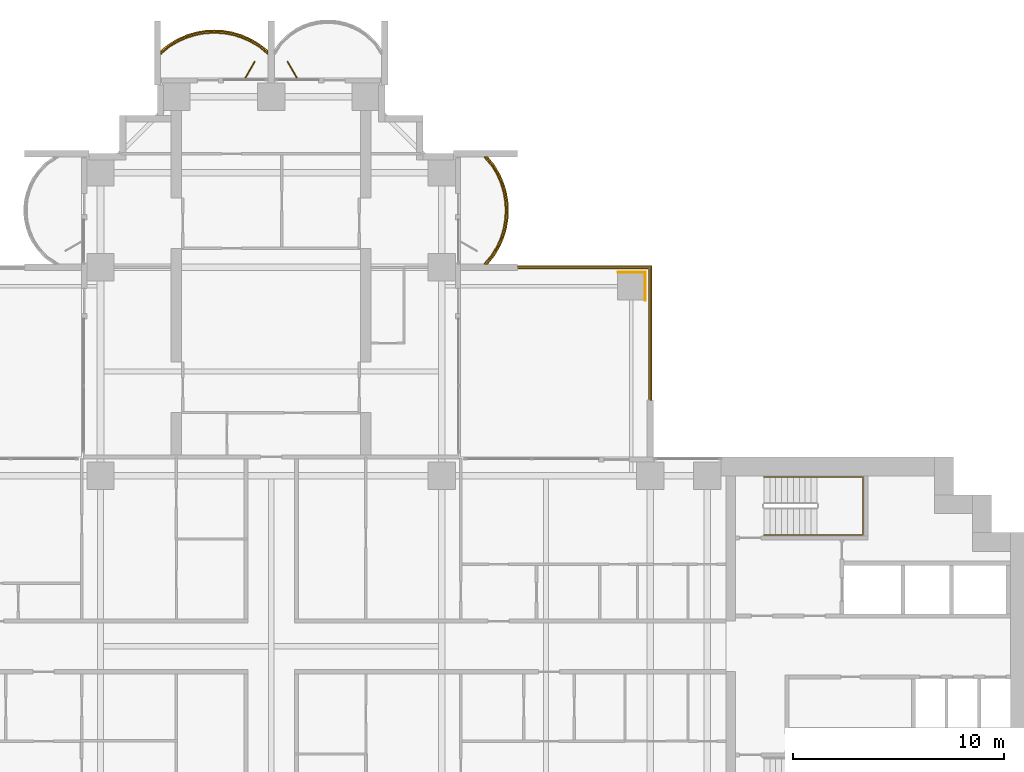
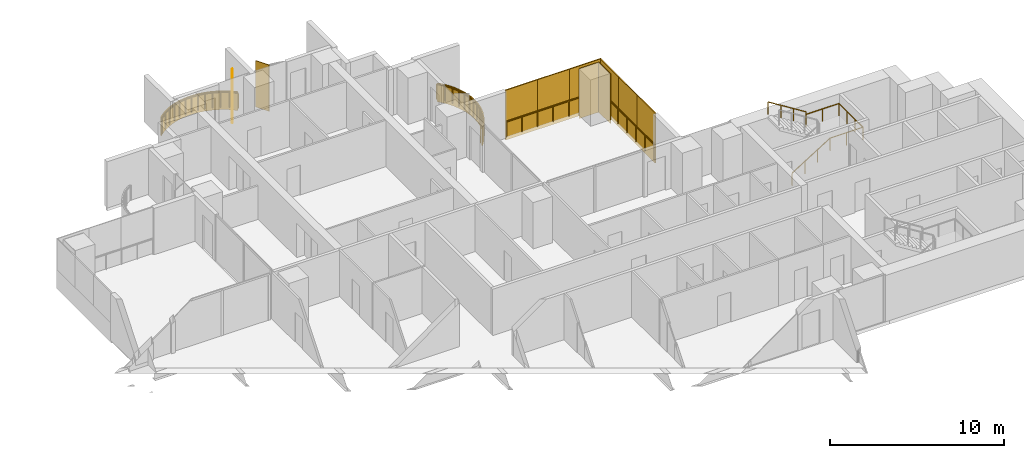
# One storey, part 20 of 21: 11 coverings, 4 railings, 2 shading devices.
"""IFC4 building model written with IfcOpenShell, lengths in metres."""

from ifc_helpers import new_model, si_unit, direction, frame, origin, origin_2d, place, context, subcontext, project, spatial, polyline, rectangle, outline, extrude, material, layer, layer_set, type_object, element, save


model = new_model("IFC4")

# Units and contexts
model_context = context("Model", 3, precision=1e-05, world=origin(), true_north=direction((0.0, 1.0)))
body_context = subcontext(model_context, "Body", "Model", "MODEL_VIEW")
ifc_project = project(units=[si_unit("LENGTHUNIT", "METRE"), si_unit("AREAUNIT", "SQUARE_METRE"), si_unit("VOLUMEUNIT", "CUBIC_METRE"), si_unit("PLANEANGLEUNIT", "RADIAN"), si_unit("MASSUNIT", "GRAM", prefix="KILO")], contexts=[model_context])

# Site, building, storey
site_placement = place(None, origin())
site = spatial("IfcSite", under=ifc_project, at=site_placement, CompositionType="ELEMENT")
building_placement = place(site_placement, origin())
building = spatial("IfcBuilding", under=site, at=building_placement, Name="Perihelion Cross Residences", CompositionType="ELEMENT")
storey_placement = place(building_placement, frame((0.0, 0.0, 47.0)))
storey = spatial("IfcBuildingStorey", under=building, at=storey_placement, Name="L08", CompositionType="ELEMENT", Elevation=47.0)

# Coverings
ifc_material_1 = material(Name="Bronze anodised aluminium", Category="aluminium")
ifc_layer_1 = layer(ifc_material_1, 0.070068359375)
ifc_layer_set_1 = layer_set([ifc_layer_1], Name="Balcony fascia 1300")
covering_type_1 = type_object("IfcCoveringType", Name="Balcony fascia 1300", PredefinedType="CLADDING", material=ifc_layer_set_1)
covering_1_placement = place(storey_placement, frame((0.0, 0.0, -0.199951171875)))
element("IfcCovering", 1, at=covering_1_placement, inside=storey, type_object=covering_type_1, Name="Fascia BF1 L08 north side east bay 2", PredefinedType="CLADDING", context=body_context, shape_type="SweptSolid", body=[
    extrude(outline(polyline([(10.59765625, 18.53515625), (10.85498046875, 18.96826171875), (11.04248046875, 19.401123046875), (11.170654296875, 19.833984375), (11.245361328125, 20.26708984375), (11.27001953125, 20.699951171875), (11.245361328125, 21.133056640625), (11.170654296875, 21.56591796875), (11.04248046875, 21.998779296875), (10.85498046875, 22.431884765625), (10.59765625, 22.86474609375), (10.28955078125, 23.25), (10.199951171875, 23.25), (10.5400390625, 22.824951171875), (10.792724609375, 22.39990234375), (10.9765625, 21.97509765625), (11.1025390625, 21.550048828125), (11.17578125, 21.125), (11.199951171875, 20.699951171875), (11.17578125, 20.27490234375), (11.1025390625, 19.85009765625), (10.9765625, 19.425048828125), (10.792724609375, 19.0), (10.5400390625, 18.574951171875), (10.199951171875, 18.14990234375), (10.28955078125, 18.14990234375), (10.59765625, 18.53515625)])), origin(), (0.0, 0.0, 1.0), 1.300048828125),
])
covering_2_placement = place(storey_placement, frame((0.0, 0.0, -0.199951171875)))
element("IfcCovering", 2, at=covering_2_placement, inside=storey, type_object=covering_type_1, Name="Fascia BF1 L08 north tip north bay 2", PredefinedType="CLADDING", context=body_context, shape_type="SweptSolid", body=[
    extrude(outline(polyline([(-0.53515625, 28.59765625), (-0.96826171875, 28.85498046875), (-1.401123046875, 29.04248046875), (-1.833984375, 29.170654296875), (-2.26708984375, 29.245361328125), (-2.699951171875, 29.27001953125), (-3.133056640625, 29.245361328125), (-3.56591796875, 29.170654296875), (-3.998779296875, 29.04248046875), (-4.431884765625, 28.85498046875), (-4.86474609375, 28.59765625), (-5.25, 28.28955078125), (-5.25, 28.199951171875), (-4.824951171875, 28.5400390625), (-4.39990234375, 28.792724609375), (-3.97509765625, 28.9765625), (-3.550048828125, 29.1025390625), (-3.125, 29.17578125), (-2.699951171875, 29.199951171875), (-2.27490234375, 29.17578125), (-1.85009765625, 29.1025390625), (-1.425048828125, 28.9765625), (-1.0, 28.792724609375), (-0.574951171875, 28.5400390625), (-0.14990234375, 28.199951171875), (-0.14990234375, 28.28955078125), (-0.53515625, 28.59765625)])), origin(), (0.0, 0.0, 1.0), 1.300048828125),
])

# Railings
ifc_material_2 = material(Name="Bronze anodised aluminium", Category="aluminium")
railing_type_1 = type_object("IfcRailingType", Name="Balcony guard 1100", PredefinedType="GUARDRAIL", material=ifc_material_2)
railing_1_placement = place(storey_placement, frame((10.139892578125, 18.175048828125, 0.0)))
element("IfcRailing", 3, at=railing_1_placement, inside=storey, type_object=railing_type_1, Name="Guard GU1 L08 north side east bay 2 balcony", PredefinedType="GUARDRAIL", context=body_context, shape_type="SweptSolid", body=[
    extrude(rectangle(XDim=0.048095703125, YDim=0.048095703125, at=origin_2d()), frame((0.0, 0.0, 1.076171875), z_axis=(0.647837396648, 0.761778647315, 0.0), x_axis=(-0.761778647315, 0.647837396648, 0.0)), (0.0, 0.0, 1.0), 0.52490234375),
    extrude(rectangle(XDim=0.048095703125, YDim=0.048095703125, at=origin_2d()), frame((0.340087890625, 0.39990234375, 1.076171875), z_axis=(0.511006381501, 0.859576918062, 0.0), x_axis=(-0.859576918062, 0.511006381501, 0.0)), (0.0, 0.0, 1.0), 0.494384765625),
    extrude(rectangle(XDim=0.048095703125, YDim=0.048095703125, at=origin_2d()), frame((0.5927734375, 0.824951171875, 1.076171875), z_axis=(0.397415137459, 0.917638931453, 0.0), x_axis=(-0.917638931453, 0.397415137459, 0.0)), (0.0, 0.0, 1.0), 0.463134765625),
    extrude(rectangle(XDim=0.048095703125, YDim=0.048095703125, at=origin_2d()), frame((0.77685546875, 1.25, 1.076171875), z_axis=(0.283656975924, 0.958925815697, 0.0), x_axis=(-0.958925815697, 0.283656975924, 0.0)), (0.0, 0.0, 1.0), 0.443359375),
    extrude(rectangle(XDim=0.048095703125, YDim=0.048095703125, at=origin_2d()), frame((0.902587890625, 1.675048828125, 1.076171875), z_axis=(0.170456843651, 0.985365142702, 0.0), x_axis=(-0.985365142702, 0.170456843651, 0.0)), (0.0, 0.0, 1.0), 0.43115234375),
    extrude(rectangle(XDim=0.048095703125, YDim=0.048095703125, at=origin_2d()), frame((0.97607421875, 2.099853515625, 1.076171875), z_axis=(0.056200523353, 0.9984195016, 0.0), x_axis=(-0.9984195016, 0.056200523353, 0.0)), (0.0, 0.0, 1.0), 0.42578125),
    extrude(rectangle(XDim=0.048095703125, YDim=0.048095703125, at=origin_2d()), frame((1.0, 2.52490234375, 1.076171875), z_axis=(-0.056200523353, 0.9984195016, 0.0), x_axis=(-0.9984195016, -0.056200523353, 0.0)), (0.0, 0.0, 1.0), 0.42578125),
    extrude(rectangle(XDim=0.048095703125, YDim=0.048095703125, at=origin_2d()), frame((0.97607421875, 2.949951171875, 1.076171875), z_axis=(-0.17036177859, 0.985381583142, 0.0), x_axis=(-0.985381583142, -0.17036177859, 0.0)), (0.0, 0.0, 1.0), 0.431396484375),
    extrude(rectangle(XDim=0.048095703125, YDim=0.048095703125, at=origin_2d()), frame((0.902587890625, 3.375, 1.076171875), z_axis=(-0.283656975924, 0.958925815697, 0.0), x_axis=(-0.958925815697, -0.283656975924, 0.0)), (0.0, 0.0, 1.0), 0.443359375),
    extrude(rectangle(XDim=0.048095703125, YDim=0.048095703125, at=origin_2d()), frame((0.77685546875, 3.800048828125, 1.076171875), z_axis=(-0.397607437634, 0.91755562531, 0.0), x_axis=(-0.91755562531, -0.397607437634, 0.0)), (0.0, 0.0, 1.0), 0.462890625),
    extrude(rectangle(XDim=0.048095703125, YDim=0.048095703125, at=origin_2d()), frame((0.5927734375, 4.224853515625, 1.076171875), z_axis=(-0.511006381501, 0.859576918062, 0.0), x_axis=(-0.859576918062, -0.511006381501, 0.0)), (0.0, 0.0, 1.0), 0.494384765625),
    extrude(rectangle(XDim=0.048095703125, YDim=0.048095703125, at=origin_2d()), frame((0.340087890625, 4.64990234375, 1.076171875), z_axis=(-0.647607934281, 0.761973728849, 0.0), x_axis=(-0.761973728849, -0.647607934281, 0.0)), (0.0, 0.0, 1.0), 0.525146484375),
    extrude(rectangle(XDim=0.0419921875, YDim=0.0419921875, at=origin_2d()), origin(), (0.0, 0.0, 1.0), 1.052001953125),
    extrude(rectangle(XDim=0.0419921875, YDim=0.0419921875, at=origin_2d()), frame((0.340087890625, 0.39990234375, 0.0)), (0.0, 0.0, 1.0), 1.052001953125),
    extrude(rectangle(XDim=0.0419921875, YDim=0.0419921875, at=origin_2d()), frame((0.5927734375, 0.824951171875, 0.0)), (0.0, 0.0, 1.0), 1.052001953125),
    extrude(rectangle(XDim=0.0419921875, YDim=0.0419921875, at=origin_2d()), frame((0.77685546875, 1.25, 0.0)), (0.0, 0.0, 1.0), 1.052001953125),
    extrude(rectangle(XDim=0.0419921875, YDim=0.0419921875, at=origin_2d()), frame((0.902587890625, 1.675048828125, 0.0)), (0.0, 0.0, 1.0), 1.052001953125),
    extrude(rectangle(XDim=0.0419921875, YDim=0.0419921875, at=origin_2d()), frame((0.97607421875, 2.099853515625, 0.0)), (0.0, 0.0, 1.0), 1.052001953125),
    extrude(rectangle(XDim=0.0419921875, YDim=0.0419921875, at=origin_2d()), frame((1.0, 2.52490234375, 0.0)), (0.0, 0.0, 1.0), 1.052001953125),
    extrude(rectangle(XDim=0.0419921875, YDim=0.0419921875, at=origin_2d()), frame((0.97607421875, 2.949951171875, 0.0)), (0.0, 0.0, 1.0), 1.052001953125),
    extrude(rectangle(XDim=0.0419921875, YDim=0.0419921875, at=origin_2d()), frame((0.902587890625, 3.375, 0.0)), (0.0, 0.0, 1.0), 1.052001953125),
    extrude(rectangle(XDim=0.0419921875, YDim=0.0419921875, at=origin_2d()), frame((0.77685546875, 3.800048828125, 0.0)), (0.0, 0.0, 1.0), 1.052001953125),
    extrude(rectangle(XDim=0.0419921875, YDim=0.0419921875, at=origin_2d()), frame((0.5927734375, 4.224853515625, 0.0)), (0.0, 0.0, 1.0), 1.052001953125),
    extrude(rectangle(XDim=0.0419921875, YDim=0.0419921875, at=origin_2d()), frame((0.340087890625, 4.64990234375, 0.0)), (0.0, 0.0, 1.0), 1.052001953125),
    extrude(rectangle(XDim=0.0419921875, YDim=0.0419921875, at=origin_2d()), frame((0.0, 5.050048828125, 0.0)), (0.0, 0.0, 1.0), 1.052001953125),
])
railing_2_placement = place(storey_placement, frame((-0.175048828125, 28.139892578125, 0.0)))
element("IfcRailing", 4, at=railing_2_placement, inside=storey, type_object=railing_type_1, Name="Guard GU1 L08 north tip north bay 2 balcony", PredefinedType="GUARDRAIL", context=body_context, shape_type="SweptSolid", body=[
    extrude(rectangle(XDim=0.048095703125, YDim=0.048095703125, at=origin_2d()), frame((0.0, 0.0, 1.076171875), z_axis=(-0.761778647315, 0.647837396648, 0.0), x_axis=(-0.647837396648, -0.761778647315, 0.0)), (0.0, 0.0, 1.0), 0.52490234375),
    extrude(rectangle(XDim=0.048095703125, YDim=0.048095703125, at=origin_2d()), frame((-0.39990234375, 0.340087890625, 1.076171875), z_axis=(-0.859576918062, 0.511006381501, 0.0), x_axis=(-0.511006381501, -0.859576918062, 0.0)), (0.0, 0.0, 1.0), 0.494384765625),
    extrude(rectangle(XDim=0.048095703125, YDim=0.048095703125, at=origin_2d()), frame((-0.824951171875, 0.5927734375, 1.076171875), z_axis=(-0.917638931453, 0.397415137459, 0.0), x_axis=(-0.397415137459, -0.917638931453, 0.0)), (0.0, 0.0, 1.0), 0.463134765625),
    extrude(rectangle(XDim=0.048095703125, YDim=0.048095703125, at=origin_2d()), frame((-1.25, 0.77685546875, 1.076171875), z_axis=(-0.958925815697, 0.283656975924, 0.0), x_axis=(-0.283656975924, -0.958925815697, 0.0)), (0.0, 0.0, 1.0), 0.443359375),
    extrude(rectangle(XDim=0.048095703125, YDim=0.048095703125, at=origin_2d()), frame((-1.675048828125, 0.902587890625, 1.076171875), z_axis=(-0.985365142702, 0.170456843651, 0.0), x_axis=(-0.170456843651, -0.985365142702, 0.0)), (0.0, 0.0, 1.0), 0.43115234375),
    extrude(rectangle(XDim=0.048095703125, YDim=0.048095703125, at=origin_2d()), frame((-2.099853515625, 0.97607421875, 1.076171875), z_axis=(-0.9984195016, 0.056200523353, 0.0), x_axis=(-0.056200523353, -0.9984195016, 0.0)), (0.0, 0.0, 1.0), 0.42578125),
    extrude(rectangle(XDim=0.048095703125, YDim=0.048095703125, at=origin_2d()), frame((-2.52490234375, 1.0, 1.076171875), z_axis=(-0.9984195016, -0.056200523353, 0.0), x_axis=(0.056200523353, -0.9984195016, 0.0)), (0.0, 0.0, 1.0), 0.42578125),
    extrude(rectangle(XDim=0.048095703125, YDim=0.048095703125, at=origin_2d()), frame((-2.949951171875, 0.97607421875, 1.076171875), z_axis=(-0.985381583142, -0.17036177859, 0.0), x_axis=(0.17036177859, -0.985381583142, 0.0)), (0.0, 0.0, 1.0), 0.431396484375),
    extrude(rectangle(XDim=0.048095703125, YDim=0.048095703125, at=origin_2d()), frame((-3.375, 0.902587890625, 1.076171875), z_axis=(-0.958925815697, -0.283656975924, 0.0), x_axis=(0.283656975924, -0.958925815697, 0.0)), (0.0, 0.0, 1.0), 0.443359375),
    extrude(rectangle(XDim=0.048095703125, YDim=0.048095703125, at=origin_2d()), frame((-3.800048828125, 0.77685546875, 1.076171875), z_axis=(-0.91755562531, -0.397607437634, 0.0), x_axis=(0.397607437634, -0.91755562531, 0.0)), (0.0, 0.0, 1.0), 0.462890625),
    extrude(rectangle(XDim=0.048095703125, YDim=0.048095703125, at=origin_2d()), frame((-4.224853515625, 0.5927734375, 1.076171875), z_axis=(-0.859576918062, -0.511006381501, 0.0), x_axis=(0.511006381501, -0.859576918062, 0.0)), (0.0, 0.0, 1.0), 0.494384765625),
    extrude(rectangle(XDim=0.048095703125, YDim=0.048095703125, at=origin_2d()), frame((-4.64990234375, 0.340087890625, 1.076171875), z_axis=(-0.761973728849, -0.647607934281, 0.0), x_axis=(0.647607934281, -0.761973728849, 0.0)), (0.0, 0.0, 1.0), 0.525146484375),
    extrude(rectangle(XDim=0.0419921875, YDim=0.0419921875, at=origin_2d()), origin(), (0.0, 0.0, 1.0), 1.052001953125),
    extrude(rectangle(XDim=0.0419921875, YDim=0.0419921875, at=origin_2d()), frame((-0.39990234375, 0.340087890625, 0.0)), (0.0, 0.0, 1.0), 1.052001953125),
    extrude(rectangle(XDim=0.0419921875, YDim=0.0419921875, at=origin_2d()), frame((-0.824951171875, 0.5927734375, 0.0)), (0.0, 0.0, 1.0), 1.052001953125),
    extrude(rectangle(XDim=0.0419921875, YDim=0.0419921875, at=origin_2d()), frame((-1.25, 0.77685546875, 0.0)), (0.0, 0.0, 1.0), 1.052001953125),
    extrude(rectangle(XDim=0.0419921875, YDim=0.0419921875, at=origin_2d()), frame((-1.675048828125, 0.902587890625, 0.0)), (0.0, 0.0, 1.0), 1.052001953125),
    extrude(rectangle(XDim=0.0419921875, YDim=0.0419921875, at=origin_2d()), frame((-2.099853515625, 0.97607421875, 0.0)), (0.0, 0.0, 1.0), 1.052001953125),
    extrude(rectangle(XDim=0.0419921875, YDim=0.0419921875, at=origin_2d()), frame((-2.52490234375, 1.0, 0.0)), (0.0, 0.0, 1.0), 1.052001953125),
    extrude(rectangle(XDim=0.0419921875, YDim=0.0419921875, at=origin_2d()), frame((-2.949951171875, 0.97607421875, 0.0)), (0.0, 0.0, 1.0), 1.052001953125),
    extrude(rectangle(XDim=0.0419921875, YDim=0.0419921875, at=origin_2d()), frame((-3.375, 0.902587890625, 0.0)), (0.0, 0.0, 1.0), 1.052001953125),
    extrude(rectangle(XDim=0.0419921875, YDim=0.0419921875, at=origin_2d()), frame((-3.800048828125, 0.77685546875, 0.0)), (0.0, 0.0, 1.0), 1.052001953125),
    extrude(rectangle(XDim=0.0419921875, YDim=0.0419921875, at=origin_2d()), frame((-4.224853515625, 0.5927734375, 0.0)), (0.0, 0.0, 1.0), 1.052001953125),
    extrude(rectangle(XDim=0.0419921875, YDim=0.0419921875, at=origin_2d()), frame((-4.64990234375, 0.340087890625, 0.0)), (0.0, 0.0, 1.0), 1.052001953125),
    extrude(rectangle(XDim=0.0419921875, YDim=0.0419921875, at=origin_2d()), frame((-5.050048828125, 0.0, 0.0)), (0.0, 0.0, 1.0), 1.052001953125),
])
railing_3_placement = place(storey_placement, frame((11.739990234375, 17.93994140625, 0.0)))
element("IfcRailing", 5, at=railing_3_placement, inside=storey, type_object=railing_type_1, Name="Guard GU1 L08 pocket north-east 1", PredefinedType="GUARDRAIL", context=body_context, shape_type="SweptSolid", body=[
    extrude(rectangle(XDim=0.048095703125, YDim=0.048095703125, at=origin_2d()), frame((0.0, 0.0, 1.076171875), z_axis=(1.0, 0.0, 0.0), x_axis=(0.0, 1.0, 0.0)), (0.0, 0.0, 1.0), 6.199951171875),
    extrude(rectangle(XDim=0.048095703125, YDim=0.048095703125, at=origin_2d()), frame((6.199951171875, 0.0, 1.076171875), z_axis=(0.0, -1.0, 0.0), x_axis=(1.0, 0.0, 0.0)), (0.0, 0.0, 1.0), 6.199951171875),
    extrude(rectangle(XDim=0.0419921875, YDim=0.0419921875, at=origin_2d()), origin(), (0.0, 0.0, 1.0), 1.052001953125),
    extrude(rectangle(XDim=0.0419921875, YDim=0.0419921875, at=origin_2d()), frame((1.033203125, 0.0, 0.0)), (0.0, 0.0, 1.0), 1.052001953125),
    extrude(rectangle(XDim=0.0419921875, YDim=0.0419921875, at=origin_2d()), frame((2.066650390625, 0.0, 0.0)), (0.0, 0.0, 1.0), 1.052001953125),
    extrude(rectangle(XDim=0.0419921875, YDim=0.0419921875, at=origin_2d()), frame((3.10009765625, 0.0, 0.0)), (0.0, 0.0, 1.0), 1.052001953125),
    extrude(rectangle(XDim=0.0419921875, YDim=0.0419921875, at=origin_2d()), frame((4.13330078125, 0.0, 0.0)), (0.0, 0.0, 1.0), 1.052001953125),
    extrude(rectangle(XDim=0.0419921875, YDim=0.0419921875, at=origin_2d()), frame((5.16650390625, 0.0, 0.0)), (0.0, 0.0, 1.0), 1.052001953125),
    extrude(rectangle(XDim=0.0419921875, YDim=0.0419921875, at=origin_2d()), frame((6.199951171875, 0.0, 0.0)), (0.0, 0.0, 1.0), 1.052001953125),
    extrude(rectangle(XDim=0.0419921875, YDim=0.0419921875, at=origin_2d()), frame((6.199951171875, -1.033203125, 0.0)), (0.0, 0.0, 1.0), 1.052001953125),
    extrude(rectangle(XDim=0.0419921875, YDim=0.0419921875, at=origin_2d()), frame((6.199951171875, -2.066650390625, 0.0)), (0.0, 0.0, 1.0), 1.052001953125),
    extrude(rectangle(XDim=0.0419921875, YDim=0.0419921875, at=origin_2d()), frame((6.199951171875, -3.10009765625, 0.0)), (0.0, 0.0, 1.0), 1.052001953125),
    extrude(rectangle(XDim=0.0419921875, YDim=0.0419921875, at=origin_2d()), frame((6.199951171875, -4.13330078125, 0.0)), (0.0, 0.0, 1.0), 1.052001953125),
    extrude(rectangle(XDim=0.0419921875, YDim=0.0419921875, at=origin_2d()), frame((6.199951171875, -5.16650390625, 0.0)), (0.0, 0.0, 1.0), 1.052001953125),
    extrude(rectangle(XDim=0.0419921875, YDim=0.0419921875, at=origin_2d()), frame((6.199951171875, -6.199951171875, 0.0)), (0.0, 0.0, 1.0), 1.052001953125),
])

# Coverings
ifc_material_3 = material(Name="Bronze anodised aluminium", Category="aluminium")
ifc_layer_2 = layer(ifc_material_3, 0.0400390625)
ifc_layer_set_2 = layer_set([ifc_layer_2], Name="Bronze column casing 40")
covering_type_2 = type_object("IfcCoveringType", Name="Bronze column casing 40", PredefinedType="CLADDING", material=ifc_layer_set_2)
covering_3_placement = place(storey_placement, frame((17.77001953125, 17.10009765625, -0.25), z_axis=(0.0, 0.0, 1.0), x_axis=(1.0, 0.0, 0.0)))
element("IfcCovering", 6, at=covering_3_placement, inside=storey, type_object=covering_type_2, Name="Cladding CC1 L08 casing east-west no. 4", PredefinedType="CLADDING", context=body_context, shape_type="SweptSolid", body=[
    extrude(rectangle(XDim=0.0400390625, YDim=1.3798828125, at=origin_2d()), origin(), (0.0, 0.0, 1.0), 3.5),
])
covering_4_placement = place(storey_placement, frame((17.10009765625, 17.77001953125, -0.25), z_axis=(0.0, 0.0, 1.0), x_axis=(1.0, 0.0, 0.0)))
element("IfcCovering", 7, at=covering_4_placement, inside=storey, type_object=covering_type_2, Name="Cladding CC1 L08 casing north-south no. 4", PredefinedType="CLADDING", context=body_context, shape_type="SweptSolid", body=[
    extrude(rectangle(XDim=1.300048828125, YDim=0.0400390625, at=origin_2d()), origin(), (0.0, 0.0, 1.0), 3.5),
])

# Shading devices
ifc_material_4 = material(Name="Bronze anodised aluminium", Category="aluminium")
ifc_layer_3 = layer(ifc_material_4, 0.050048828125)
ifc_layer_set_3 = layer_set([ifc_layer_3], Name="Bronze fin 900")
shading_device_type = type_object("IfcShadingDeviceType", Name="Bronze fin 900", PredefinedType="USERDEFINED", material=ifc_layer_set_3)
for number, where, z_axis, x_axis, name in (
    (8, (1.0, 27.3896484375, 0.0), (0.0, 0.0, 1.0), (-0.5, 0.866025403784, 0.0), "Fin FN1 L08 north tip north bay 1"),
    (9, (-1.0, 27.3896484375, 0.0), (0.0, 0.0, 1.0), (0.5, 0.866025403784, 0.0), "Fin FN1 L08 north tip north bay 2"),
):
    element("IfcShadingDevice", number, at=place(storey_placement, frame(where, z_axis=z_axis, x_axis=x_axis)), inside=storey, type_object=shading_device_type, Name=name, ObjectType="FIN", PredefinedType="USERDEFINED", context=body_context, shape_type="SweptSolid", body=[
        extrude(rectangle(XDim=0.89990234375, YDim=0.050048828125, at=origin_2d()), origin(), (0.0, 0.0, 1.0), 3.25),
    ])

# Coverings
ifc_material_5 = material(Name="Bronze anodised aluminium", Category="aluminium")
ifc_layer_4 = layer(ifc_material_5, 0.070068359375)
ifc_layer_set_4 = layer_set([ifc_layer_4], Name="Pocket fascia 1350")
covering_type_3 = type_object("IfcCoveringType", Name="Pocket fascia 1350", PredefinedType="CLADDING", material=ifc_layer_set_4)
covering_5_placement = place(storey_placement, frame((0.0, 0.0, -0.25)))
element("IfcCovering", 10, at=covering_5_placement, inside=storey, type_object=covering_type_3, Name="Fascia BF2 L08 pocket north-east 3", PredefinedType="CLADDING", context=body_context, shape_type="SweptSolid", body=[
    extrude(outline(polyline([(18.070068359375, 18.070068359375), (11.699951171875, 18.070068359375), (11.699951171875, 18.0), (18.0, 18.0), (18.0, 11.699951171875), (18.070068359375, 11.699951171875), (18.070068359375, 18.070068359375)])), origin(), (0.0, 0.0, 1.0), 1.35009765625),
])
ifc_material_6 = material(Name="Bronze perforated aluminium", Category="aluminium")
ifc_layer_5 = layer(ifc_material_6, 0.070068359375)
ifc_layer_set_5 = layer_set([ifc_layer_5], Name="Pocket solar screen, bronze perforated")
covering_type_4 = type_object("IfcCoveringType", Name="Pocket solar screen, bronze perforated", PredefinedType="CLADDING", material=ifc_layer_set_5)
covering_6_placement = place(storey_placement, frame((0.0, 0.0, 1.10009765625)))
element("IfcCovering", 11, at=covering_6_placement, inside=storey, type_object=covering_type_4, Name="Solar screen PS1 L08 pocket north-east no. 1", PredefinedType="CLADDING", context=body_context, shape_type="SweptSolid", body=[
    extrude(outline(polyline([(18.070068359375, 11.699951171875), (18.070068359375, 13.800048828125), (18.0, 13.800048828125), (18.0, 11.699951171875), (18.070068359375, 11.699951171875)])), origin(), (0.0, 0.0, 1.0), 2.14990234375),
])
covering_7_placement = place(storey_placement, frame((0.0, 0.0, 1.10009765625)))
element("IfcCovering", 12, at=covering_7_placement, inside=storey, type_object=covering_type_4, Name="Solar screen PS1 L08 pocket north-east no. 2", PredefinedType="CLADDING", context=body_context, shape_type="SweptSolid", body=[
    extrude(outline(polyline([(18.070068359375, 13.800048828125), (18.070068359375, 15.89990234375), (18.0, 15.89990234375), (18.0, 13.800048828125), (18.070068359375, 13.800048828125)])), origin(), (0.0, 0.0, 1.0), 2.14990234375),
])
covering_8_placement = place(storey_placement, frame((0.0, 0.0, 1.10009765625)))
element("IfcCovering", 13, at=covering_8_placement, inside=storey, type_object=covering_type_4, Name="Solar screen PS1 L08 pocket north-east no. 3", PredefinedType="CLADDING", context=body_context, shape_type="SweptSolid", body=[
    extrude(outline(polyline([(18.070068359375, 15.89990234375), (18.070068359375, 18.0), (18.0, 18.0), (18.0, 15.89990234375), (18.070068359375, 15.89990234375)])), origin(), (0.0, 0.0, 1.0), 2.14990234375),
])
covering_9_placement = place(storey_placement, frame((0.0, 0.0, 1.10009765625)))
element("IfcCovering", 14, at=covering_9_placement, inside=storey, type_object=covering_type_4, Name="Solar screen PS1 L08 pocket north-east no. 4", PredefinedType="CLADDING", context=body_context, shape_type="SweptSolid", body=[
    extrude(outline(polyline([(13.8232421875, 18.0), (13.8232421875, 18.070068359375), (11.699951171875, 18.070068359375), (11.699951171875, 18.0), (13.8232421875, 18.0)])), origin(), (0.0, 0.0, 1.0), 2.14990234375),
])
covering_10_placement = place(storey_placement, frame((0.0, 0.0, 1.10009765625)))
element("IfcCovering", 15, at=covering_10_placement, inside=storey, type_object=covering_type_4, Name="Solar screen PS1 L08 pocket north-east no. 5", PredefinedType="CLADDING", context=body_context, shape_type="SweptSolid", body=[
    extrude(outline(polyline([(15.94677734375, 18.0), (15.94677734375, 18.070068359375), (13.8232421875, 18.070068359375), (13.8232421875, 18.0), (15.94677734375, 18.0)])), origin(), (0.0, 0.0, 1.0), 2.14990234375),
])
covering_11_placement = place(storey_placement, frame((0.0, 0.0, 1.10009765625)))
element("IfcCovering", 16, at=covering_11_placement, inside=storey, type_object=covering_type_4, Name="Solar screen PS1 L08 pocket north-east no. 6", PredefinedType="CLADDING", context=body_context, shape_type="SweptSolid", body=[
    extrude(outline(polyline([(18.070068359375, 18.0), (18.070068359375, 18.070068359375), (15.94677734375, 18.070068359375), (15.94677734375, 18.0), (18.070068359375, 18.0)])), origin(), (0.0, 0.0, 1.0), 2.14990234375),
])

# Railing
ifc_material_7 = material(Name="Stainless steel", Category="steel")
railing_type_2 = type_object("IfcRailingType", Name="Stair handrail 900", PredefinedType="HANDRAIL", material=ifc_material_7)
railing_4_placement = place(storey_placement, frame((23.39990234375, 5.300048828125, 0.175048828125)))
element("IfcRailing", 17, at=railing_4_placement, inside=storey, type_object=railing_type_2, Name="L08 ST-E1 stair handrail 1", PredefinedType="HANDRAIL", context=body_context, shape_type="SweptSolid", body=[
    extrude(rectangle(XDim=0.048095703125, YDim=0.048095703125, at=origin_2d()), frame((0.0, 0.0, 0.8759765625), z_axis=(0.848007534815, 0.0, 0.529984170421), x_axis=(0.0, 1.0, 0.0)), (0.0, 0.0, 1.0), 2.9716796875),
    extrude(rectangle(XDim=0.048095703125, YDim=0.048095703125, at=origin_2d()), frame((2.52001953125, 0.0, 2.45068359375), z_axis=(1.0, 0.0, 0.0), x_axis=(0.0, 1.0, 0.0)), (0.0, 0.0, 1.0), 2.18017578125),
    extrude(rectangle(XDim=0.048095703125, YDim=0.048095703125, at=origin_2d()), frame((4.7001953125, 0.0, 2.45068359375), z_axis=(0.0, 1.0, 0.0), x_axis=(-1.0, 0.0, 0.0)), (0.0, 0.0, 1.0), 2.75),
    extrude(rectangle(XDim=0.048095703125, YDim=0.048095703125, at=origin_2d()), frame((4.7001953125, 2.75, 2.45068359375), z_axis=(-1.0, 0.0, 0.0), x_axis=(0.0, -1.0, 0.0)), (0.0, 0.0, 1.0), 2.18017578125),
    extrude(rectangle(XDim=0.048095703125, YDim=0.048095703125, at=origin_2d()), frame((2.52001953125, 2.75, 2.45068359375), z_axis=(0.0, 0.0, 1.0), x_axis=(1.0, 0.0, 0.0)), (0.0, 0.0, 1.0), 0.175048828125),
    extrude(rectangle(XDim=0.048095703125, YDim=0.048095703125, at=origin_2d()), frame((2.52001953125, 2.75, 2.6259765625), z_axis=(-0.848007534815, 0.0, 0.529984170421), x_axis=(0.0, -1.0, 0.0)), (0.0, 0.0, 1.0), 2.9716796875),
    extrude(rectangle(XDim=0.0419921875, YDim=0.0419921875, at=origin_2d()), origin(), (0.0, 0.0, 1.0), 0.851806640625),
    extrude(rectangle(XDim=0.0419921875, YDim=0.0419921875, at=origin_2d()), frame((0.840087890625, 0.0, 0.52490234375)), (0.0, 0.0, 1.0), 0.851806640625),
    extrude(rectangle(XDim=0.0419921875, YDim=0.0419921875, at=origin_2d()), frame((1.679931640625, 0.0, 1.050048828125)), (0.0, 0.0, 1.0), 0.851806640625),
    extrude(rectangle(XDim=0.0419921875, YDim=0.0419921875, at=origin_2d()), frame((2.52001953125, 0.0, 1.574951171875)), (0.0, 0.0, 1.0), 0.851806640625),
    extrude(rectangle(XDim=0.0419921875, YDim=0.0419921875, at=origin_2d()), frame((3.610107421875, 0.0, 1.574951171875)), (0.0, 0.0, 1.0), 0.851806640625),
    extrude(rectangle(XDim=0.0419921875, YDim=0.0419921875, at=origin_2d()), frame((4.7001953125, 0.0, 1.574951171875)), (0.0, 0.0, 1.0), 0.851806640625),
    extrude(rectangle(XDim=0.0419921875, YDim=0.0419921875, at=origin_2d()), frame((4.7001953125, 0.916748046875, 1.574951171875)), (0.0, 0.0, 1.0), 0.851806640625),
    extrude(rectangle(XDim=0.0419921875, YDim=0.0419921875, at=origin_2d()), frame((4.7001953125, 1.833251953125, 1.574951171875)), (0.0, 0.0, 1.0), 0.851806640625),
    extrude(rectangle(XDim=0.0419921875, YDim=0.0419921875, at=origin_2d()), frame((4.7001953125, 2.75, 1.574951171875)), (0.0, 0.0, 1.0), 0.851806640625),
    extrude(rectangle(XDim=0.0419921875, YDim=0.0419921875, at=origin_2d()), frame((3.610107421875, 2.75, 1.574951171875)), (0.0, 0.0, 1.0), 0.851806640625),
    extrude(rectangle(XDim=0.0419921875, YDim=0.0419921875, at=origin_2d()), frame((2.52001953125, 2.75, 1.574951171875)), (0.0, 0.0, 1.0), 0.851806640625),
    extrude(rectangle(XDim=0.0419921875, YDim=0.0419921875, at=origin_2d()), frame((2.52001953125, 2.75, 1.75)), (0.0, 0.0, 1.0), 0.851806640625),
    extrude(rectangle(XDim=0.0419921875, YDim=0.0419921875, at=origin_2d()), frame((1.679931640625, 2.75, 2.27490234375)), (0.0, 0.0, 1.0), 0.851806640625),
    extrude(rectangle(XDim=0.0419921875, YDim=0.0419921875, at=origin_2d()), frame((0.840087890625, 2.75, 2.800048828125)), (0.0, 0.0, 1.0), 0.851806640625),
    extrude(rectangle(XDim=0.0419921875, YDim=0.0419921875, at=origin_2d()), frame((0.0, 2.75, 3.324951171875)), (0.0, 0.0, 1.0), 0.851806640625),
])

save(model, "model.ifc")
